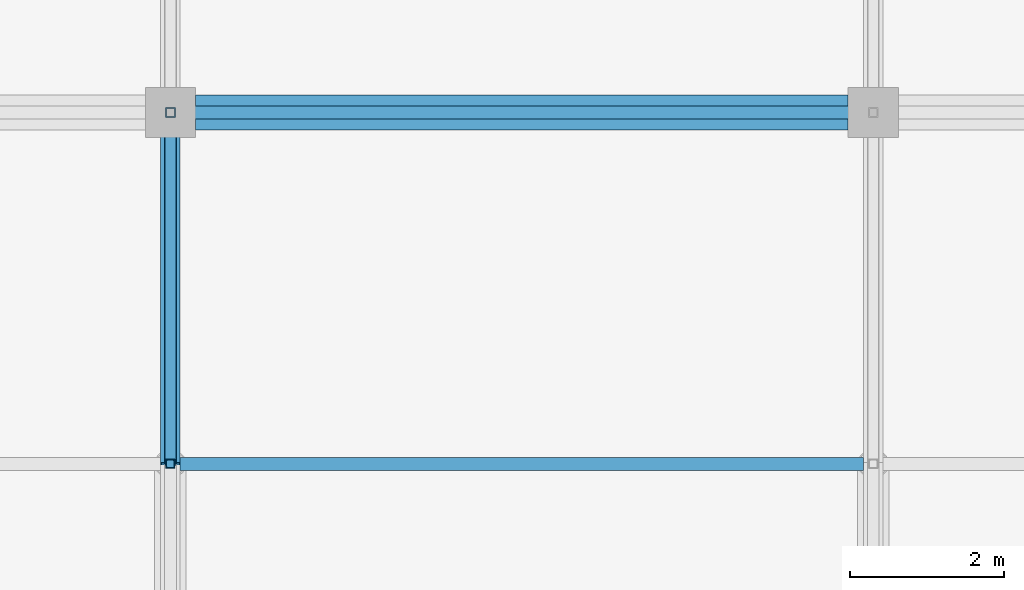
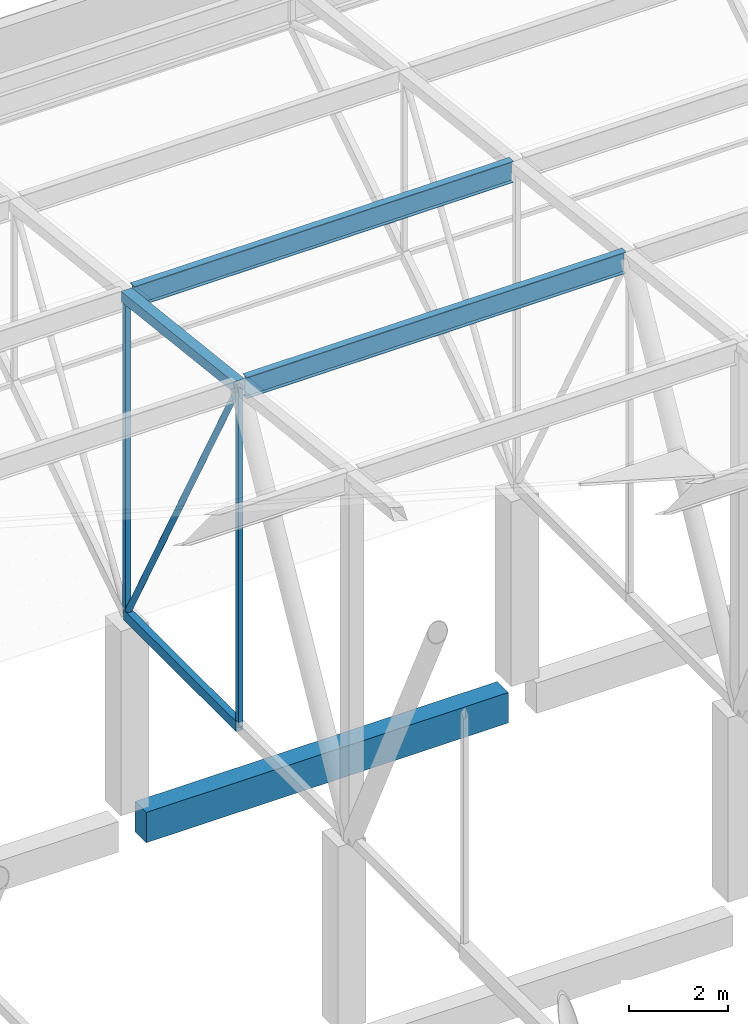
# One storey, part 304 of 500: 7 members, 1 beam.
"""IFC4 building model written with IfcOpenShell, lengths in metres."""

from ifc_helpers import new_model, si_unit, direction, frame, origin, origin_2d, place, context, subcontext, project, spatial, rectangle, hollow_rectangle, hollow_circle, i_section, extrude, material, material_profile, profile_set, type_object, element, save


model = new_model("IFC4")

# Units and contexts
model_context = context("Model", 3, precision=1e-05, world=origin(), true_north=direction((0.0, 1.0)))
body_context = subcontext(model_context, "Body", "Model", "MODEL_VIEW")
ifc_project = project(units=[si_unit("LENGTHUNIT", "METRE"), si_unit("AREAUNIT", "SQUARE_METRE"), si_unit("VOLUMEUNIT", "CUBIC_METRE"), si_unit("PLANEANGLEUNIT", "RADIAN"), si_unit("MASSUNIT", "GRAM", prefix="KILO")], contexts=[model_context])

# Site, building, storey
site_placement = place(None, origin())
site = spatial("IfcSite", under=ifc_project, at=site_placement, CompositionType="ELEMENT")
building_placement = place(site_placement, origin())
building = spatial("IfcBuilding", under=site, at=building_placement, Name="Shirokan Park Arena", CompositionType="ELEMENT")
storey_placement = place(building_placement, frame((0.0, 0.0, 29.1201171875)))
storey = spatial("IfcBuildingStorey", under=building, at=storey_placement, Name="L06", CompositionType="ELEMENT", Elevation=29.1201171875)

# Members
ifc_material_1 = material(Name="Steel ASTM A500 Grade C", Category="steel")
ifc_material_profile_1 = material_profile(ifc_material_1, hollow_rectangle(XDim=0.152099609375, YDim=0.25390625, WallThickness=0.009521484375, at=origin_2d()), Name="HSS254X152.4X9.5")
ifc_profile_set_1 = profile_set([ifc_material_profile_1], Name="Steel ASTM A500 Grade C")
member_type_1 = type_object("IfcMemberType", Name="Bottom chord HSS254X152.4X9.5", PredefinedType="CHORD", material=ifc_profile_set_1)
member_1_placement = place(storey_placement, frame((63.699951171875, 104.64990234375, 4.677001953125), z_axis=(0.0, 1.0, 0.0), x_axis=(-1.0, 0.0, 0.0)))
element("IfcMember", 1, at=member_1_placement, inside=storey, type_object=member_type_1, Name="Truss T08 bottom chord 26", PredefinedType="CHORD", context=body_context, shape_type="SweptSolid", body=[
    extrude(hollow_rectangle(XDim=0.152099609375, YDim=0.25390625, WallThickness=0.009521484375, at=origin_2d()), origin(), (0.0, 0.0, 1.0), 4.550048828125),
])
ifc_material_2 = material(Name="Steel ASTM A992", Category="steel")
ifc_material_profile_2 = material_profile(ifc_material_2, i_section(OverallWidth=0.166015625, OverallDepth=0.528076171875, WebThickness=0.009765625, FlangeThickness=0.013671875, at=origin_2d()), Name="W530X74")
ifc_profile_set_2 = profile_set([ifc_material_profile_2], Name="Steel ASTM A992")
member_type_2 = type_object("IfcMemberType", Name="Purlin W530X74", PredefinedType="PURLIN", material=ifc_profile_set_2)
for number, where, z_axis, x_axis, name in (
    (2, (63.826904296875, 104.64990234375, 13.005859375), (1.0, 0.0, 0.0), (0.0, 1.0, 0.0), "Purlin 26 bay 8"),
    (3, (63.826904296875, 109.199951171875, 12.48583984375), (1.0, 0.0, 0.0), (0.0, 1.0, 0.0), "Purlin 27 bay 8"),
):
    element("IfcMember", number, at=place(storey_placement, frame(where, z_axis=z_axis, x_axis=x_axis)), inside=storey, type_object=member_type_2, Name=name, PredefinedType="PURLIN", context=body_context, shape_type="SweptSolid", body=[
        extrude(i_section(OverallWidth=0.166015625, OverallDepth=0.528076171875, WebThickness=0.009765625, FlangeThickness=0.013671875, at=origin_2d()), origin(), (0.0, 0.0, 1.0), 8.84619140625),
    ])

# Beam
ifc_material_3 = material(Name="Concrete C35", Category="concrete")
ifc_material_profile_3 = material_profile(ifc_material_3, rectangle(XDim=0.449951171875, YDim=0.75, at=origin_2d()), Name="450x750")
ifc_profile_set_3 = profile_set([ifc_material_profile_3], Name="Concrete C35")
beam_type = type_object("IfcBeamType", Name="RC girder 450x750", PredefinedType="BEAM", material=ifc_profile_set_3)
beam_placement = place(storey_placement, frame((64.025146484375, 109.199951171875, -0.5751953125), z_axis=(1.0, 0.0, 0.0), x_axis=(0.0, 1.0, 0.0)))
element("IfcBeam", 4, at=beam_placement, inside=storey, type_object=beam_type, Name="Girder 8N-9N L06", PredefinedType="BEAM", context=body_context, shape_type="SweptSolid", body=[
    extrude(rectangle(XDim=0.449951171875, YDim=0.75, at=origin_2d()), origin(), (0.0, 0.0, 1.0), 8.44970703125),
])

# Members
ifc_material_profile_4 = material_profile(ifc_material_1, hollow_rectangle(XDim=0.25390625, YDim=0.25390625, WallThickness=0.009521484375, at=origin_2d()), Name="HSS254X254X9.5")
ifc_profile_set_4 = profile_set([ifc_material_profile_4], Name="Steel ASTM A500 Grade C")
member_type_3 = type_object("IfcMemberType", Name="Top chord HSS254X254X9.5", PredefinedType="CHORD", material=ifc_profile_set_4)
member_2_placement = place(storey_placement, frame((63.699951171875, 104.64990234375, 13.061279296875), z_axis=(0.0, 0.993538341779, -0.113496975353), x_axis=(-1.0, 0.0, 0.0)))
element("IfcMember", 5, at=member_2_placement, inside=storey, type_object=member_type_3, Name="Truss T08 top chord 26", PredefinedType="CHORD", context=body_context, shape_type="SweptSolid", body=[
    extrude(hollow_rectangle(XDim=0.25390625, YDim=0.25390625, WallThickness=0.009521484375, at=origin_2d()), origin(), (0.0, 0.0, 1.0), 4.57958984375),
])
ifc_material_profile_5 = material_profile(ifc_material_1, hollow_circle(Radius=0.070556640625, WallThickness=0.006591796875, at=origin_2d()), Name="HSS141.3X6.6")
ifc_profile_set_5 = profile_set([ifc_material_profile_5], Name="Steel ASTM A500 Grade C")
member_type_4 = type_object("IfcMemberType", Name="Truss diagonal HSS141.3X6.6", PredefinedType="BRACE", material=ifc_profile_set_5)
member_3_placement = place(storey_placement, frame((63.699951171875, 104.64990234375, 13.061279296875), z_axis=(0.0, 0.476977206611, -0.878915663971), x_axis=(-1.0, 0.0, 0.0)))
element("IfcMember", 6, at=member_3_placement, inside=storey, type_object=member_type_4, Name="Truss T08 diagonal 26", PredefinedType="BRACE", context=body_context, shape_type="SweptSolid", body=[
    extrude(hollow_circle(Radius=0.070556640625, WallThickness=0.006591796875, at=origin_2d()), origin(), (0.0, 0.0, 1.0), 9.539306640625),
])
ifc_material_profile_6 = material_profile(ifc_material_1, hollow_rectangle(XDim=0.114013671875, YDim=0.114013671875, WallThickness=0.00634765625, at=origin_2d()), Name="HSS114.3X114.3X6.4")
ifc_profile_set_6 = profile_set([ifc_material_profile_6], Name="Steel ASTM A500 Grade C")
member_type_5 = type_object("IfcMemberType", Name="Truss post HSS114.3X114.3X6.4", PredefinedType="POST", material=ifc_profile_set_6)
member_4_placement = place(storey_placement, frame((63.699951171875, 104.64990234375, 4.677001953125), z_axis=(0.0, 0.0, 1.0), x_axis=(1.0, 0.0, 0.0)))
element("IfcMember", 7, at=member_4_placement, inside=storey, type_object=member_type_5, Name="Truss T08 post 26", PredefinedType="POST", context=body_context, shape_type="SweptSolid", body=[
    extrude(hollow_rectangle(XDim=0.114013671875, YDim=0.114013671875, WallThickness=0.00634765625, at=origin_2d()), origin(), (0.0, 0.0, 1.0), 8.38427734375),
])
ifc_material_profile_7 = material_profile(ifc_material_1, hollow_rectangle(XDim=0.126953125, YDim=0.126953125, WallThickness=0.0126953125, at=origin_2d()), Name="HSS127X127X12.7")
ifc_profile_set_7 = profile_set([ifc_material_profile_7], Name="Steel ASTM A500 Grade C")
member_type_6 = type_object("IfcMemberType", Name="Truss post HSS127X127X12.7", PredefinedType="POST", material=ifc_profile_set_7)
member_5_placement = place(storey_placement, frame((63.699951171875, 109.199951171875, 4.677001953125), z_axis=(0.0, 0.0, 1.0), x_axis=(1.0, 0.0, 0.0)))
element("IfcMember", 8, at=member_5_placement, inside=storey, type_object=member_type_6, Name="Truss T08 post 27", PredefinedType="POST", context=body_context, shape_type="SweptSolid", body=[
    extrude(hollow_rectangle(XDim=0.126953125, YDim=0.126953125, WallThickness=0.0126953125, at=origin_2d()), origin(), (0.0, 0.0, 1.0), 7.864501953125),
])

save(model, "model.ifc")
